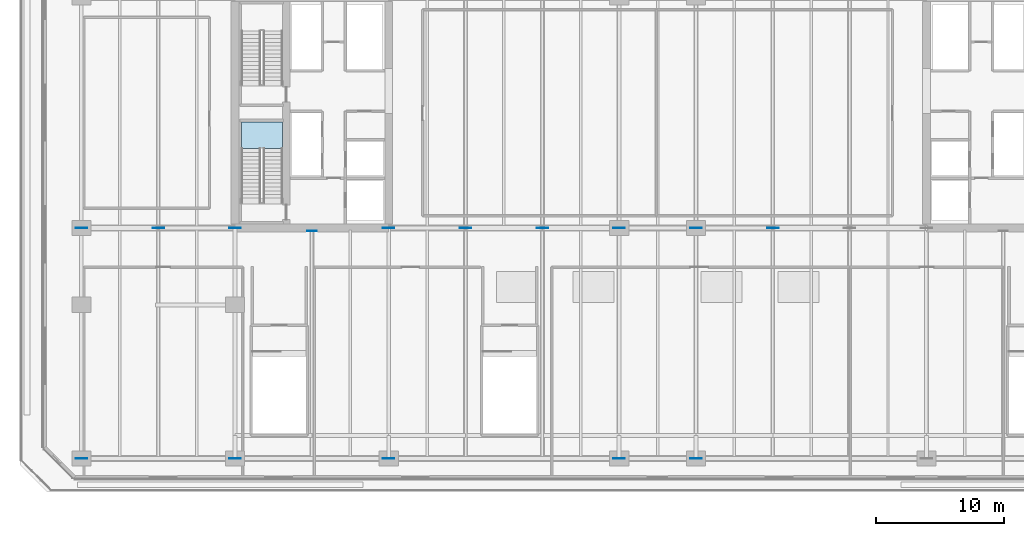
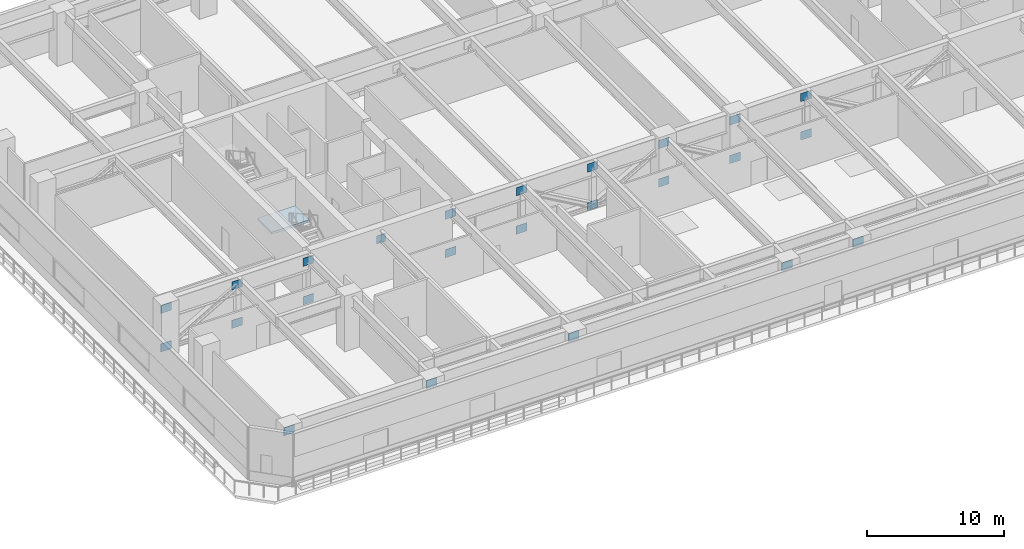
# One storey, part 5 of 25: 24 plates, 1 slab, 1 element without a shape of its own.
"""IFC4 building model written with IfcOpenShell, lengths in metres."""

from ifc_helpers import new_model, si_unit, direction, frame, origin, origin_2d, place, context, subcontext, project, spatial, polyline, rectangle, outline, extrude, material, layer, layer_set, type_object, element, aggregate, save


model = new_model("IFC4")

# Units and contexts
model_context = context("Model", 3, precision=1e-05, world=origin(), true_north=direction((0.0, 1.0)))
body_context = subcontext(model_context, "Body", "Model", "MODEL_VIEW")
ifc_project = project(units=[si_unit("LENGTHUNIT", "METRE"), si_unit("AREAUNIT", "SQUARE_METRE"), si_unit("VOLUMEUNIT", "CUBIC_METRE"), si_unit("PLANEANGLEUNIT", "RADIAN"), si_unit("MASSUNIT", "GRAM", prefix="KILO")], contexts=[model_context])

# Site, building, storey
site_placement = place(None, origin())
site = spatial("IfcSite", under=ifc_project, at=site_placement, CompositionType="ELEMENT")
building_placement = place(site_placement, origin())
building = spatial("IfcBuilding", under=site, at=building_placement, Name="Tanjung Sevakor Pilgrim Tower", CompositionType="ELEMENT")
storey_placement = place(building_placement, frame((0.0, 0.0, 24.090087890625)))
storey = spatial("IfcBuildingStorey", under=building, at=storey_placement, Name="L06", CompositionType="ELEMENT", Elevation=24.090087890625)

# Plates
ifc_material_1 = material(Name="Steel S460M", Category="steel")
ifc_layer_1 = layer(ifc_material_1, 0.0400390625)
ifc_layer_set_1 = layer_set([ifc_layer_1], Name="PL-GUSSET-40")
plate_type = type_object("IfcPlateType", Name="PL-GUSSET-40", PredefinedType="USERDEFINED", material=ifc_layer_set_1)
for number, where, z_axis, x_axis, name in (
    (1, (12.0, 6.60009765625, 3.52490234375), (0.0, 0.0, 1.0), (1.0, 0.0, 0.0), "L06 Core Wall Cast-In Embed Plate 001"),
    (2, (24.0, 6.60009765625, 3.52490234375), (0.0, 0.0, 1.0), (1.0, 0.0, 0.0), "L06 Core Wall Cast-In Embed Plate 002"),
    (3, (36.0, 6.60009765625, 3.52490234375), (0.0, 0.0, 1.0), (1.0, 0.0, 0.0), "L06 Core Wall Cast-In Embed Plate 003"),
    (4, (54.0, 6.60009765625, 3.52490234375), (0.0, 0.0, 1.0), (1.0, 0.0, 0.0), "L06 Core Wall Cast-In Embed Plate 004"),
    (5, (60.0, 6.60009765625, 3.52490234375), (0.0, 0.0, 1.0), (1.0, 0.0, 0.0), "L06 Core Wall Cast-In Embed Plate 005"),
    (6, (12.0, 24.60009765625, 3.52490234375), (0.0, 0.0, 1.0), (1.0, 0.0, 0.0), "L06 Core Wall Cast-In Embed Plate 009"),
    (7, (24.0, 24.60009765625, 3.52490234375), (0.0, 0.0, 1.0), (1.0, 0.0, 0.0), "L06 Core Wall Cast-In Embed Plate 010"),
    (8, (12.0, 24.60009765625, 0.08984375), (0.0, 0.0, 1.0), (1.0, 0.0, 0.0), "L06 Core Wall Cast-In Embed Plate 011"),
    (9, (24.0, 24.60009765625, 0.08984375), (0.0, 0.0, 1.0), (1.0, 0.0, 0.0), "L06 Core Wall Cast-In Embed Plate 012"),
    (10, (36.0, 24.60009765625, 3.52490234375), (0.0, 0.0, 1.0), (1.0, 0.0, 0.0), "L06 Core Wall Cast-In Embed Plate 013"),
    (11, (54.0, 24.60009765625, 3.52490234375), (0.0, 0.0, 1.0), (1.0, 0.0, 0.0), "L06 Core Wall Cast-In Embed Plate 014"),
    (12, (36.0, 24.60009765625, 0.08984375), (0.0, 0.0, 1.0), (1.0, 0.0, 0.0), "L06 Core Wall Cast-In Embed Plate 015"),
    (13, (54.0, 24.60009765625, 0.08984375), (0.0, 0.0, 1.0), (1.0, 0.0, 0.0), "L06 Core Wall Cast-In Embed Plate 016"),
    (14, (60.0, 24.60009765625, 3.52490234375), (0.0, 0.0, 1.0), (1.0, 0.0, 0.0), "L06 Core Wall Cast-In Embed Plate 017"),
    (15, (60.0, 24.60009765625, 0.08984375), (0.0, 0.0, 1.0), (1.0, 0.0, 0.0), "L06 Core Wall Cast-In Embed Plate 018"),
    (16, (18.0, 24.60009765625, 0.08984375), (0.0, 0.0, 1.0), (1.0, 0.0, 0.0), "L06 Transfer Gusset Plate 025"),
    (17, (18.0, 24.60009765625, 3.52490234375), (0.0, 0.0, 1.0), (1.0, 0.0, 0.0), "L06 Transfer Gusset Plate 026"),
    (18, (42.0, 24.60009765625, 0.08984375), (0.0, 0.0, 1.0), (1.0, 0.0, 0.0), "L06 Transfer Gusset Plate 027"),
    (19, (42.0, 24.60009765625, 3.52490234375), (0.0, 0.0, 1.0), (1.0, 0.0, 0.0), "L06 Transfer Gusset Plate 028"),
    (20, (48.0, 24.60009765625, 0.08984375), (0.0, 0.0, 1.0), (1.0, 0.0, 0.0), "L06 Transfer Gusset Plate 029"),
    (21, (48.0, 24.60009765625, 3.52490234375), (0.0, 0.0, 1.0), (1.0, 0.0, 0.0), "L06 Transfer Gusset Plate 030"),
    (22, (66.0, 24.60009765625, 0.08984375), (0.0, 0.0, 1.0), (1.0, 0.0, 0.0), "L06 Transfer Gusset Plate 031"),
    (23, (66.0, 24.60009765625, 3.52490234375), (0.0, 0.0, 1.0), (1.0, 0.0, 0.0), "L06 Transfer Gusset Plate 032"),
):
    element("IfcPlate", number, at=place(storey_placement, frame(where, z_axis=z_axis, x_axis=x_axis)), inside=storey, type_object=plate_type, Name=name, ObjectType="GUSSET PLATE", PredefinedType="USERDEFINED", context=body_context, shape_type="SweptSolid", body=[
        extrude(rectangle(XDim=0.89990234375, YDim=0.0400390625, at=origin_2d()), origin(), (0.0, 0.0, 1.0), 0.719970703125),
    ])
plate_placement = place(storey_placement, frame((30.0, 24.375, 3.52490234375), z_axis=(0.0, 0.0, 1.0), x_axis=(1.0, 0.0, 0.0)))
element("IfcPlate", 24, at=plate_placement, inside=storey, type_object=plate_type, Name="L06 Core Wall Cast-In Embed Plate 073", ObjectType="GUSSET PLATE", PredefinedType="USERDEFINED", context=body_context, shape_type="SweptSolid", body=[
    extrude(rectangle(XDim=0.719970703125, YDim=0.0400390625, at=origin_2d()), origin(), (0.0, 0.0, 1.0), 0.719970703125),
])

# Stair, slab
ifc_material_2 = material(Name="Concrete C40/50", Category="concrete")
stair_type = type_object("IfcStairType", Name="STAIR-ST-CR150", PredefinedType="HALF_TURN_STAIR", material=ifc_material_2)
stair_placement = place(storey_placement, origin())
stair = element("IfcStair", 25, at=stair_placement, inside=storey, type_object=stair_type, Name="L06 West Core Exit Stair 1", PredefinedType="HALF_TURN_STAIR")
ifc_material_3 = material(Name="Concrete C40/50", Category="concrete")
ifc_layer_2 = layer(ifc_material_3, 0.199951171875)
ifc_layer_set_2 = layer_set([ifc_layer_2], Name="SL-LAND-200")
slab_type = type_object("IfcSlabType", Name="SL-LAND-200", PredefinedType="LANDING", material=ifc_layer_set_2)
slab_placement = place(storey_placement, frame((0.0, 0.0, 2.27490234375)))
slab = element("IfcSlab", 26, at=slab_placement, type_object=slab_type, Name="TS-W1 landing 1", PredefinedType="LANDING", context=body_context, shape_type="SweptSolid", body=[
    extrude(outline(polyline([(27.699951171875, 30.800048828125), (27.699951171875, 32.89990234375), (24.5, 32.89990234375), (24.5, 30.800048828125), (27.699951171875, 30.800048828125)])), origin(), (0.0, 0.0, 1.0), 0.199951171875),
])
aggregate(stair, [slab])

save(model, "model.ifc")
